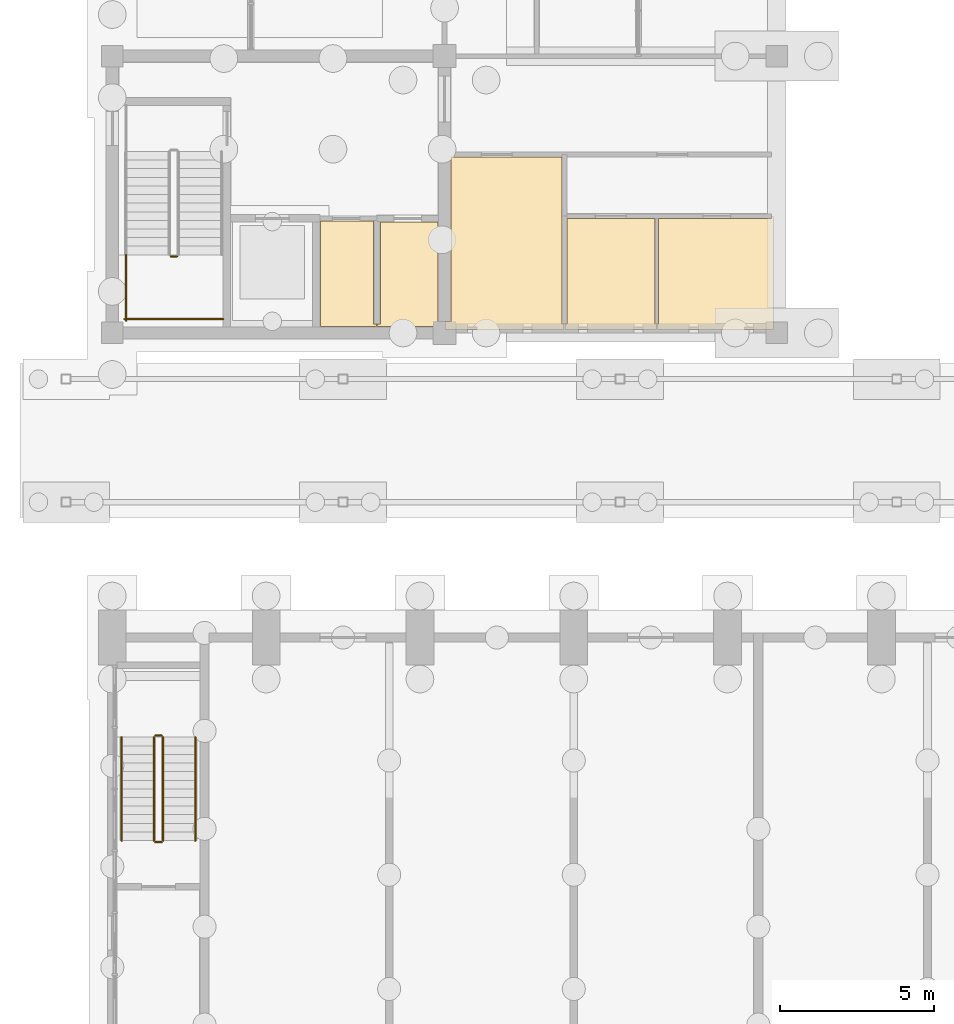
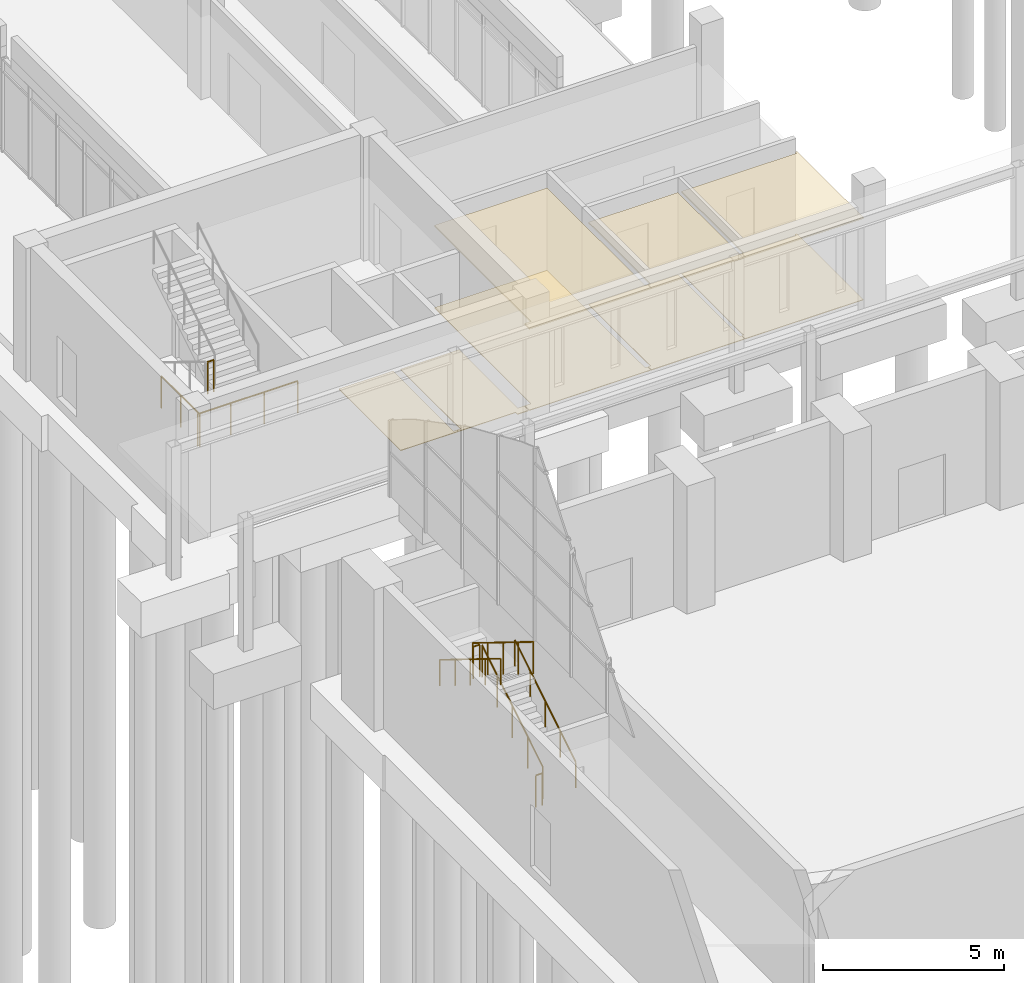
# One storey, part 87 of 106: 9 railings, 8 coverings.
"""IFC4 building model written with IfcOpenShell, lengths in metres."""

import ifcopenshell
import ifcopenshell.guid

model = None  # the IFC model being written
_history = None  # IfcOwnerHistory: only IFC2X3 demands one
_inside = {}  # id of a spatial element -> (the spatial element, [elements in it])
_under = {}  # id of a project, library or spatial element -> (it, [spatial elements below it])
_declared = {}  # id of a project -> (the project, [libraries it declares])
_typed = {}  # id of a type object -> (the type object, [elements of that type])
_made_of = {}  # id of a material, layer set ... -> (it, [elements and type objects made of it])


def new_model(schema):
    """Start an empty IFC model of exactly this schema.

    Asked for "IFC4X3", IfcOpenShell would pick the latest addendum, in which some entities
    have other attributes; the version numbers below select the first issue.
    IFC2X3 requires an IfcOwnerHistory on every rooted entity: one is made here for all.
    """
    global model, _history
    if schema == "IFC4X3":
        model = ifcopenshell.file(schema_version=(4, 3, 0, 0))
    else:
        model = ifcopenshell.file(schema=schema)
    _inside.clear()
    _under.clear()
    _declared.clear()
    _typed.clear()
    _made_of.clear()
    _history = None
    if model.schema == "IFC2X3":
        org = make("IfcOrganization", Name="unknown")
        user = make(
            "IfcPersonAndOrganization",
            ThePerson=make("IfcPerson", FamilyName="unknown"),
            TheOrganization=org,
        )
        app = make(
            "IfcApplication",
            ApplicationDeveloper=org,
            Version="unknown",
            ApplicationFullName="unknown",
            ApplicationIdentifier="unknown",
        )
        _history = make(
            "IfcOwnerHistory",
            OwningUser=user,
            OwningApplication=app,
            ChangeAction="ADDED",
            CreationDate=0,
        )
    return model


def make(cls, **values):
    """One entity of the class cls with the attributes given. An attribute that is None is left unset."""
    return model.create_entity(
        cls, **{name: value for name, value in values.items() if value is not None}
    )


def rooted(cls, **values):
    """An entity with a GlobalId (a new one), such as an element, a storey or a relation."""
    return make(cls, GlobalId=ifcopenshell.guid.new(), OwnerHistory=_history, **values)


def si_unit(unit_type, name, prefix=None):
    """IfcSIUnit, for example si_unit("LENGTHUNIT", "METRE", prefix="MILLI")."""
    return make("IfcSIUnit", UnitType=unit_type, Prefix=prefix, Name=name)


def assignment(units):
    """IfcUnitAssignment: the units of a project."""
    return None if units is None else make("IfcUnitAssignment", Units=units)


def point(xyz):
    """IfcCartesianPoint."""
    return None if xyz is None else make("IfcCartesianPoint", Coordinates=xyz)


def direction(xyz):
    """IfcDirection."""
    return None if xyz is None else make("IfcDirection", DirectionRatios=xyz)


def frame(location, z_axis=None, x_axis=None):
    """IfcAxis2Placement3D, a coordinate frame: its origin and axes. An axis left out is left unset."""
    return make(
        "IfcAxis2Placement3D",
        Location=point(location),
        Axis=direction(z_axis),
        RefDirection=direction(x_axis),
    )


def frame_2d(location, x_axis=None):
    """IfcAxis2Placement2D, a coordinate frame in the plane: its origin and x axis."""
    return make(
        "IfcAxis2Placement2D", Location=point(location), RefDirection=direction(x_axis)
    )


def origin():
    """The frame at (0, 0, 0) with its axes left unset."""
    return frame((0.0, 0.0, 0.0))


def origin_2d():
    """The frame at (0, 0) in the plane with its x axis left unset."""
    return frame_2d((0.0, 0.0))


def place(relative_to, where):
    """IfcLocalPlacement: puts the frame where relative to a parent placement (None: the world)."""
    return make(
        "IfcLocalPlacement", PlacementRelTo=relative_to, RelativePlacement=where
    )


def context(
    kind, dimensions, precision=None, world=None, true_north=None, identifier=None
):
    """IfcGeometricRepresentationContext, for example the 3D "Model" context."""
    return make(
        "IfcGeometricRepresentationContext",
        ContextIdentifier=identifier,
        ContextType=kind,
        CoordinateSpaceDimension=dimensions,
        Precision=precision,
        WorldCoordinateSystem=world,
        TrueNorth=true_north,
    )


def subcontext(parent, identifier, kind, view, scale=None):
    """IfcGeometricRepresentationSubContext, for example "Body" below "Model"."""
    return make(
        "IfcGeometricRepresentationSubContext",
        ContextIdentifier=identifier,
        ContextType=kind,
        ParentContext=parent,
        TargetScale=scale,
        TargetView=view,
    )


def project(units=None, contexts=None):
    """IfcProject with its units and contexts."""
    return rooted(
        "IfcProject",
        Name="project",
        RepresentationContexts=contexts,
        UnitsInContext=assignment(units),
    )


def spatial(cls, under=None, at=None, **own):
    """A site, building, storey or space (cls), placed at a placement, below another one or the project."""
    s = rooted(cls, ObjectPlacement=at, **own)
    if under is not None:
        _under.setdefault(under.id(), (under, []))[1].append(s)
    return s


def polyline(points):
    """IfcPolyline through the points."""
    return make("IfcPolyline", Points=[point(p) for p in points])


def profile(cls, at=None, kind="AREA", **sizes):
    """A parametric profile (cls). Its sizes go by their IFC names, for example OverallWidth=200.0."""
    return make(cls, ProfileType=kind, Position=at, **sizes)


def circle(**sizes):
    """IfcCircleProfileDef."""
    return profile("IfcCircleProfileDef", **sizes)


def outline(outer, holes=None, kind="AREA"):
    """IfcArbitraryClosedProfileDef: a profile drawn as a closed curve; with holes, ...WithVoids."""
    if holes is None:
        return make("IfcArbitraryClosedProfileDef", ProfileType=kind, OuterCurve=outer)
    return make(
        "IfcArbitraryProfileDefWithVoids",
        ProfileType=kind,
        OuterCurve=outer,
        InnerCurves=holes,
    )


def extrude(swept, where, along, depth):
    """IfcExtrudedAreaSolid: the profile swept, set in the frame where, extruded along a direction by depth."""
    return make(
        "IfcExtrudedAreaSolid",
        SweptArea=swept,
        Position=where,
        ExtrudedDirection=direction(along),
        Depth=depth,
    )


def shape(context_of_items, identifier, shape_type, items):
    """IfcShapeRepresentation: the items that make up one representation, for example the "Body"."""
    return make(
        "IfcShapeRepresentation",
        ContextOfItems=context_of_items,
        RepresentationIdentifier=identifier,
        RepresentationType=shape_type,
        Items=items,
    )


def material(Name=None, Category=None):
    """IfcMaterial."""
    return make("IfcMaterial", Name=Name, Category=Category)


def layer(
    of_material, thickness, ventilated=None, Name=None, Category=None, Priority=None
):
    """IfcMaterialLayer: one layer of a wall or slab, of a material (None: an air gap)."""
    return make(
        "IfcMaterialLayer",
        Material=of_material,
        LayerThickness=thickness,
        IsVentilated=ventilated,
        Name=Name,
        Category=Category,
        Priority=Priority,
    )


def layer_set(layers, Name=None):
    """IfcMaterialLayerSet."""
    return make("IfcMaterialLayerSet", MaterialLayers=layers, LayerSetName=Name)


def made_of(thing, what):
    """Note that an element or type object is made of a material, layer set ...; save() writes the relation."""
    if what is not None:
        _made_of.setdefault(what.id(), (what, []))[1].append(thing)
    return thing


def type_object(cls, material=None, **own):
    """A type object (cls), such as IfcWallType, which elements share."""
    return made_of(rooted(cls, **own), material)


def element(
    cls,
    number,
    at=None,
    inside=None,
    cuts=None,
    type_object=None,
    material=None,
    context=None,
    identifier="Body",
    shape_type=None,
    held_by="IfcProductDefinitionShape",
    body=None,
    shapes=None,
    **own,
):
    """One element of the class cls, such as IfcWall. Its Tag is "e" and its number.

    at: its placement. inside: the storey or other place that contains it. cuts: it is an
    opening in that element (IfcRelVoidsElement). A single representation is given by context,
    identifier, shape_type and body (its items); several are given by shapes. held_by: the class
    of the entity that holds the representations. save() writes the other relations.
    """
    e = rooted(cls, Tag="e%d" % number, ObjectPlacement=at, **own)
    if body is not None:
        shapes = [shape(context, identifier, shape_type, body)]
    if shapes is not None:
        e.Representation = make(held_by, Representations=shapes)
    if inside is not None:
        _inside.setdefault(inside.id(), (inside, []))[1].append(e)
    if cuts is not None:
        rooted(
            "IfcRelVoidsElement", RelatingBuildingElement=cuts, RelatedOpeningElement=e
        )
    if type_object is not None:
        _typed.setdefault(type_object.id(), (type_object, []))[1].append(e)
    return made_of(e, material)


def aggregate(whole, parts):
    """IfcRelAggregates: a whole, such as a stair, and the parts it consists of."""
    return rooted("IfcRelAggregates", RelatingObject=whole, RelatedObjects=parts)


def save(model, path):
    """Write the relations noted so far, then the file.

    IfcRelAggregates (storeys below a building ...), IfcRelContainedInSpatialStructure (elements
    in a storey), IfcRelDefinesByType, IfcRelAssociatesMaterial and IfcRelDeclares: one each for
    every whole, place, type object, material and project.
    """
    for whole, parts in _under.values():
        aggregate(whole, parts)
    for where, things in _inside.values():
        rooted(
            "IfcRelContainedInSpatialStructure",
            RelatedElements=things,
            RelatingStructure=where,
        )
    for kind, things in _typed.values():
        rooted("IfcRelDefinesByType", RelatedObjects=things, RelatingType=kind)
    for what, things in _made_of.values():
        rooted("IfcRelAssociatesMaterial", RelatedObjects=things, RelatingMaterial=what)
    for by, libraries in _declared.values():
        rooted("IfcRelDeclares", RelatingContext=by, RelatedDefinitions=libraries)
    model.write(path)


model = new_model("IFC4")

# Units and contexts
model_context = context("Model", 3, precision=1e-05, world=origin(), true_north=direction((0.0, 1.0)))
body_context = subcontext(model_context, "Body", "Model", "MODEL_VIEW")
ifc_project = project(units=[si_unit("LENGTHUNIT", "METRE"), si_unit("AREAUNIT", "SQUARE_METRE"), si_unit("VOLUMEUNIT", "CUBIC_METRE"), si_unit("PLANEANGLEUNIT", "RADIAN"), si_unit("MASSUNIT", "GRAM", prefix="KILO")], contexts=[model_context])

# Site, building, storey
site_placement = place(None, origin())
site = spatial("IfcSite", under=ifc_project, at=site_placement, CompositionType="ELEMENT")
building_placement = place(site_placement, origin())
building = spatial("IfcBuilding", under=site, at=building_placement, Name="Merrow Basin Faculty of Sciences", CompositionType="ELEMENT")
storey_placement = place(building_placement, origin())
storey = spatial("IfcBuildingStorey", under=building, at=storey_placement, Name="L00", CompositionType="ELEMENT", Elevation=0.0)

# Coverings
ifc_material_1 = material(Name="Carpet tile floor")
ifc_layer_1 = layer(ifc_material_1, 0.02001953125)
ifc_layer_set_1 = layer_set([ifc_layer_1], Name="Carpet tile floor")
covering_type_1 = type_object("IfcCoveringType", Name="Carpet tile floor", PredefinedType="FLOORING", material=ifc_layer_set_1)
covering_1_placement = place(storey_placement, origin())
element("IfcCovering", 1, at=covering_1_placement, inside=storey, type_object=covering_type_1, Name="Floor finish L00-B-004", PredefinedType="FLOORING", context=body_context, shape_type="SweptSolid", body=[
    extrude(outline(polyline([(10.590087890625, 64.614990234375), (10.590087890625, 61.364990234375), (10.7900390625, 61.364990234375), (10.7900390625, 61.110107421875), (10.43505859375, 61.110107421875), (10.43505859375, 61.2099609375), (8.610107421875, 61.2099609375), (8.610107421875, 61.2900390625), (8.7099609375, 61.2900390625), (8.7099609375, 64.614990234375), (10.590087890625, 64.614990234375)])), origin(), (0.0, 0.0, 1.0), 0.02001953125),
])
covering_2_placement = place(storey_placement, origin())
element("IfcCovering", 2, at=covering_2_placement, inside=storey, type_object=covering_type_1, Name="Floor finish L00-B-014", PredefinedType="FLOORING", context=body_context, shape_type="SweptSolid", body=[
    extrude(outline(polyline([(14.68994140625, 61.110107421875), (10.81005859375, 61.110107421875), (10.81005859375, 61.364990234375), (11.010009765625, 61.364990234375), (11.010009765625, 66.715087890625), (14.614990234375, 66.715087890625), (14.614990234375, 61.2900390625), (14.68994140625, 61.2900390625), (14.68994140625, 61.110107421875)])), origin(), (0.0, 0.0, 1.0), 0.02001953125),
])
ifc_material_2 = material(Name="Ceramic floor tile")
ifc_layer_2 = layer(ifc_material_2, 0.02001953125)
ifc_layer_set_2 = layer_set([ifc_layer_2], Name="Ceramic floor tile")
covering_type_2 = type_object("IfcCoveringType", Name="Ceramic floor tile", PredefinedType="FLOORING", material=ifc_layer_set_2)
covering_3_placement = place(storey_placement, origin())
element("IfcCovering", 3, at=covering_3_placement, inside=storey, type_object=covering_type_2, Name="Floor finish L00-B-015", PredefinedType="FLOORING", context=body_context, shape_type="SweptSolid", body=[
    extrude(outline(polyline([(17.68994140625, 61.110107421875), (14.7099609375, 61.110107421875), (14.7099609375, 61.2900390625), (14.784912109375, 61.2900390625), (14.784912109375, 64.715087890625), (17.639892578125, 64.715087890625), (17.639892578125, 61.2900390625), (17.68994140625, 61.2900390625), (17.68994140625, 61.110107421875)])), origin(), (0.0, 0.0, 1.0), 0.02001953125),
])
covering_4_placement = place(storey_placement, origin())
element("IfcCovering", 4, at=covering_4_placement, inside=storey, type_object=covering_type_2, Name="Floor finish L00-B-016", PredefinedType="FLOORING", context=body_context, shape_type="SweptSolid", body=[
    extrude(outline(polyline([(21.489990234375, 64.7900390625), (21.489990234375, 61.110107421875), (17.7099609375, 61.110107421875), (17.7099609375, 61.2900390625), (17.760009765625, 61.2900390625), (17.760009765625, 64.715087890625), (21.429931640625, 64.715087890625), (21.429931640625, 64.7900390625), (21.489990234375, 64.7900390625)])), origin(), (0.0, 0.0, 1.0), 0.02001953125),
])
ifc_material_3 = material(Name="Sealed concrete floor", Category="concrete")
ifc_layer_3 = layer(ifc_material_3, 0.02001953125)
ifc_layer_set_3 = layer_set([ifc_layer_3], Name="Sealed concrete floor")
covering_type_3 = type_object("IfcCoveringType", Name="Sealed concrete floor", PredefinedType="FLOORING", material=ifc_layer_set_3)
covering_5_placement = place(storey_placement, origin())
element("IfcCovering", 5, at=covering_5_placement, inside=storey, type_object=covering_type_3, Name="Floor finish L00-B-003", PredefinedType="FLOORING", context=body_context, shape_type="SweptSolid", body=[
    extrude(outline(polyline([(8.590087890625, 61.2099609375), (6.760009765625, 61.2099609375), (6.760009765625, 64.639892578125), (8.489990234375, 64.639892578125), (8.489990234375, 61.2900390625), (8.590087890625, 61.2900390625), (8.590087890625, 61.2099609375)])), origin(), (0.0, 0.0, 1.0), 0.02001953125),
])

# Railings
ifc_material_4 = material(Name="Steel ASTM A36", Category="steel")
railing_type_1 = type_object("IfcRailingType", Name="Steel guard 1100", PredefinedType="GUARDRAIL", material=ifc_material_4)
railing_1_placement = place(storey_placement, frame((1.89990234375, 63.489990234375, 2.25)))
element("IfcRailing", 6, at=railing_1_placement, inside=storey, type_object=railing_type_1, Name="L00 ST-V4-S stair guard 2", PredefinedType="GUARDRAIL", context=body_context, shape_type="SweptSolid", body=[
    extrude(circle(Radius=0.02392578125, at=origin_2d()), frame((0.0, 0.0, 1.076171875), z_axis=(1.0, 0.0, 0.0), x_axis=(0.0, 1.0, 0.0)), (0.0, 0.0, 1.0), 0.2001953125),
    extrude(circle(Radius=0.02099609375, at=origin_2d()), origin(), (0.0, 0.0, 1.0), 1.052001953125),
    extrude(circle(Radius=0.02099609375, at=origin_2d()), frame((0.2001953125, 0.0, 0.0)), (0.0, 0.0, 1.0), 1.052001953125),
])
railing_2_placement = place(storey_placement, frame((0.449951171875, 63.5400390625, 2.25)))
element("IfcRailing", 7, at=railing_2_placement, inside=storey, type_object=railing_type_1, Name="L00 ST-V4-S stair guard 3", PredefinedType="GUARDRAIL", context=body_context, shape_type="SweptSolid", body=[
    extrude(circle(Radius=0.02392578125, at=origin_2d()), frame((0.0, 0.0, 1.076171875), z_axis=(0.0, -1.0, 0.0), x_axis=(1.0, 0.0, 0.0)), (0.0, 0.0, 1.0), 2.14013671875),
    extrude(circle(Radius=0.02099609375, at=origin_2d()), origin(), (0.0, 0.0, 1.0), 1.052001953125),
    extrude(circle(Radius=0.02099609375, at=origin_2d()), frame((0.0, -1.070068359375, 0.0)), (0.0, 0.0, 1.0), 1.052001953125),
    extrude(circle(Radius=0.02099609375, at=origin_2d()), frame((0.0, -2.14013671875, 0.0)), (0.0, 0.0, 1.0), 1.052001953125),
])
railing_3_placement = place(storey_placement, frame((0.39990234375, 61.449951171875, 2.25)))
element("IfcRailing", 8, at=railing_3_placement, inside=storey, type_object=railing_type_1, Name="L00 ST-V4-S stair guard 4", PredefinedType="GUARDRAIL", context=body_context, shape_type="SweptSolid", body=[
    extrude(circle(Radius=0.02392578125, at=origin_2d()), frame((0.0, 0.0, 1.076171875), z_axis=(1.0, 0.0, 0.0), x_axis=(0.0, 1.0, 0.0)), (0.0, 0.0, 1.0), 3.2001953125),
    extrude(circle(Radius=0.02099609375, at=origin_2d()), origin(), (0.0, 0.0, 1.0), 1.052001953125),
    extrude(circle(Radius=0.02099609375, at=origin_2d()), frame((1.066650390625, 0.0, 0.0)), (0.0, 0.0, 1.0), 1.052001953125),
    extrude(circle(Radius=0.02099609375, at=origin_2d()), frame((2.133544921875, 0.0, 0.0)), (0.0, 0.0, 1.0), 1.052001953125),
    extrude(circle(Radius=0.02099609375, at=origin_2d()), frame((3.2001953125, 0.0, 0.0)), (0.0, 0.0, 1.0), 1.052001953125),
])
railing_4_placement = place(storey_placement, frame((1.64990234375, 44.5, 0.173095703125)))
element("IfcRailing", 9, at=railing_4_placement, inside=storey, type_object=railing_type_1, Name="L00 ST-V1-NW stair guard 1", PredefinedType="GUARDRAIL", context=body_context, shape_type="SweptSolid", body=[
    extrude(circle(Radius=0.02392578125, at=origin_2d()), frame((0.0, 0.0, 1.076171875), z_axis=(0.0, 0.850623216509, 0.525775754039), x_axis=(-1.0, 0.0, 0.0)), (0.0, 0.0, 1.0), 3.9501953125),
    extrude(circle(Radius=0.02099609375, at=origin_2d()), origin(), (0.0, 0.0, 1.0), 1.052001953125),
    extrude(circle(Radius=0.02099609375, at=origin_2d()), frame((0.0, 0.840087890625, 0.519287109375)), (0.0, 0.0, 1.0), 1.052001953125),
    extrude(circle(Radius=0.02099609375, at=origin_2d()), frame((0.0, 1.68017578125, 1.03857421875)), (0.0, 0.0, 1.0), 1.052001953125),
    extrude(circle(Radius=0.02099609375, at=origin_2d()), frame((0.0, 2.52001953125, 1.5576171875)), (0.0, 0.0, 1.0), 1.052001953125),
    extrude(circle(Radius=0.02099609375, at=origin_2d()), frame((0.0, 3.360107421875, 2.076904296875)), (0.0, 0.0, 1.0), 1.052001953125),
])
railing_5_placement = place(storey_placement, frame((1.60009765625, 47.909912109375, 2.25)))
element("IfcRailing", 10, at=railing_5_placement, inside=storey, type_object=railing_type_1, Name="L00 ST-V1-NW stair guard 2", PredefinedType="GUARDRAIL", context=body_context, shape_type="SweptSolid", body=[
    extrude(circle(Radius=0.02392578125, at=origin_2d()), frame((0.0, 0.0, 1.076171875), z_axis=(-1.0, 0.0, 0.0), x_axis=(0.0, -1.0, 0.0)), (0.0, 0.0, 1.0), 0.2001953125),
    extrude(circle(Radius=0.02099609375, at=origin_2d()), origin(), (0.0, 0.0, 1.0), 1.052001953125),
    extrude(circle(Radius=0.02099609375, at=origin_2d()), frame((-0.2001953125, 0.0, 0.0)), (0.0, 0.0, 1.0), 1.052001953125),
])
railing_6_placement = place(storey_placement, frame((1.35009765625, 47.860107421875, 2.423095703125)))
element("IfcRailing", 11, at=railing_6_placement, inside=storey, type_object=railing_type_1, Name="L00 ST-V1-NW stair guard 3", PredefinedType="GUARDRAIL", context=body_context, shape_type="SweptSolid", body=[
    extrude(circle(Radius=0.02392578125, at=origin_2d()), frame((0.0, 0.0, 1.076171875), z_axis=(0.0, -0.850623216509, 0.525775754039), x_axis=(1.0, 0.0, 0.0)), (0.0, 0.0, 1.0), 3.9501953125),
    extrude(circle(Radius=0.02099609375, at=origin_2d()), origin(), (0.0, 0.0, 1.0), 1.052001953125),
    extrude(circle(Radius=0.02099609375, at=origin_2d()), frame((0.0, -0.840087890625, 0.519287109375)), (0.0, 0.0, 1.0), 1.052001953125),
    extrude(circle(Radius=0.02099609375, at=origin_2d()), frame((0.0, -1.68017578125, 1.03857421875)), (0.0, 0.0, 1.0), 1.052001953125),
    extrude(circle(Radius=0.02099609375, at=origin_2d()), frame((0.0, -2.52001953125, 1.5576171875)), (0.0, 0.0, 1.0), 1.052001953125),
    extrude(circle(Radius=0.02099609375, at=origin_2d()), frame((0.0, -3.360107421875, 2.076904296875)), (0.0, 0.0, 1.0), 1.052001953125),
])
railing_7_placement = place(storey_placement, frame((1.60009765625, 44.449951171875, 0.0)))
element("IfcRailing", 12, at=railing_7_placement, inside=storey, type_object=railing_type_1, Name="L00 ST-V1-NW stair guard 4", PredefinedType="GUARDRAIL", context=body_context, shape_type="SweptSolid", body=[
    extrude(circle(Radius=0.02392578125, at=origin_2d()), frame((0.0, 0.0, 1.076171875), z_axis=(-1.0, 0.0, 0.0), x_axis=(0.0, -1.0, 0.0)), (0.0, 0.0, 1.0), 0.2001953125),
    extrude(circle(Radius=0.02099609375, at=origin_2d()), origin(), (0.0, 0.0, 1.0), 1.052001953125),
    extrude(circle(Radius=0.02099609375, at=origin_2d()), frame((-0.2001953125, 0.0, 0.0)), (0.0, 0.0, 1.0), 1.052001953125),
])
ifc_material_5 = material(Name="Steel ASTM A36", Category="steel")
railing_type_2 = type_object("IfcRailingType", Name="Steel handrail 900", PredefinedType="HANDRAIL", material=ifc_material_5)
railing_8_placement = place(storey_placement, frame((2.699951171875, 44.5, 0.173095703125)))
element("IfcRailing", 13, at=railing_8_placement, inside=storey, type_object=railing_type_2, Name="L00 ST-V1-NW stair handrail 1", PredefinedType="HANDRAIL", context=body_context, shape_type="SweptSolid", body=[
    extrude(circle(Radius=0.02392578125, at=origin_2d()), frame((0.0, 0.0, 0.8759765625), z_axis=(0.0, 0.850623216509, 0.525775754039), x_axis=(-1.0, 0.0, 0.0)), (0.0, 0.0, 1.0), 3.9501953125),
    extrude(circle(Radius=0.02099609375, at=origin_2d()), origin(), (0.0, 0.0, 1.0), 0.851806640625),
    extrude(circle(Radius=0.02099609375, at=origin_2d()), frame((0.0, 0.840087890625, 0.519287109375)), (0.0, 0.0, 1.0), 0.851806640625),
    extrude(circle(Radius=0.02099609375, at=origin_2d()), frame((0.0, 1.68017578125, 1.03857421875)), (0.0, 0.0, 1.0), 0.851806640625),
    extrude(circle(Radius=0.02099609375, at=origin_2d()), frame((0.0, 2.52001953125, 1.5576171875)), (0.0, 0.0, 1.0), 0.851806640625),
    extrude(circle(Radius=0.02099609375, at=origin_2d()), frame((0.0, 3.360107421875, 2.076904296875)), (0.0, 0.0, 1.0), 0.851806640625),
])
railing_9_placement = place(storey_placement, frame((0.300048828125, 47.860107421875, 2.423095703125)))
element("IfcRailing", 14, at=railing_9_placement, inside=storey, type_object=railing_type_2, Name="L00 ST-V1-NW stair handrail 2", PredefinedType="HANDRAIL", context=body_context, shape_type="SweptSolid", body=[
    extrude(circle(Radius=0.02392578125, at=origin_2d()), frame((0.0, 0.0, 0.8759765625), z_axis=(0.0, -0.850623216509, 0.525775754039), x_axis=(1.0, 0.0, 0.0)), (0.0, 0.0, 1.0), 3.9501953125),
    extrude(circle(Radius=0.02099609375, at=origin_2d()), origin(), (0.0, 0.0, 1.0), 0.851806640625),
    extrude(circle(Radius=0.02099609375, at=origin_2d()), frame((0.0, -0.840087890625, 0.519287109375)), (0.0, 0.0, 1.0), 0.851806640625),
    extrude(circle(Radius=0.02099609375, at=origin_2d()), frame((0.0, -1.68017578125, 1.03857421875)), (0.0, 0.0, 1.0), 0.851806640625),
    extrude(circle(Radius=0.02099609375, at=origin_2d()), frame((0.0, -2.52001953125, 1.5576171875)), (0.0, 0.0, 1.0), 0.851806640625),
    extrude(circle(Radius=0.02099609375, at=origin_2d()), frame((0.0, -3.360107421875, 2.076904296875)), (0.0, 0.0, 1.0), 0.851806640625),
])

# Coverings
ifc_material_6 = material(Name="Mineral fibre ceiling tile")
ifc_layer_4 = layer(ifc_material_6, 0.050048828125)
ifc_layer_set_4 = layer_set([ifc_layer_4], Name="Suspended acoustic ceiling tile")
covering_type_4 = type_object("IfcCoveringType", Name="Suspended acoustic ceiling tile", PredefinedType="CEILING", material=ifc_layer_set_4)
covering_6_placement = place(storey_placement, frame((0.0, 0.0, 2.75)))
element("IfcCovering", 15, at=covering_6_placement, inside=storey, type_object=covering_type_4, Name="Ceiling L00-B-014", PredefinedType="CEILING", context=body_context, shape_type="SweptSolid", body=[
    extrude(outline(polyline([(14.68994140625, 61.110107421875), (10.81005859375, 61.110107421875), (10.81005859375, 61.364990234375), (11.010009765625, 61.364990234375), (11.010009765625, 66.715087890625), (14.614990234375, 66.715087890625), (14.614990234375, 61.2900390625), (14.68994140625, 61.2900390625), (14.68994140625, 61.110107421875)])), origin(), (0.0, 0.0, 1.0), 0.050048828125),
])
covering_7_placement = place(storey_placement, frame((0.0, 0.0, 2.75)))
element("IfcCovering", 16, at=covering_7_placement, inside=storey, type_object=covering_type_4, Name="Ceiling L00-B-015", PredefinedType="CEILING", context=body_context, shape_type="SweptSolid", body=[
    extrude(outline(polyline([(17.68994140625, 61.110107421875), (14.7099609375, 61.110107421875), (14.7099609375, 61.2900390625), (14.784912109375, 61.2900390625), (14.784912109375, 64.715087890625), (17.639892578125, 64.715087890625), (17.639892578125, 61.2900390625), (17.68994140625, 61.2900390625), (17.68994140625, 61.110107421875)])), origin(), (0.0, 0.0, 1.0), 0.050048828125),
])
covering_8_placement = place(storey_placement, frame((0.0, 0.0, 2.75)))
element("IfcCovering", 17, at=covering_8_placement, inside=storey, type_object=covering_type_4, Name="Ceiling L00-B-016", PredefinedType="CEILING", context=body_context, shape_type="SweptSolid", body=[
    extrude(outline(polyline([(21.489990234375, 64.7900390625), (21.489990234375, 61.110107421875), (17.7099609375, 61.110107421875), (17.7099609375, 61.2900390625), (17.760009765625, 61.2900390625), (17.760009765625, 64.715087890625), (21.429931640625, 64.715087890625), (21.429931640625, 64.7900390625), (21.489990234375, 64.7900390625)])), origin(), (0.0, 0.0, 1.0), 0.050048828125),
])

save(model, "model.ifc")
